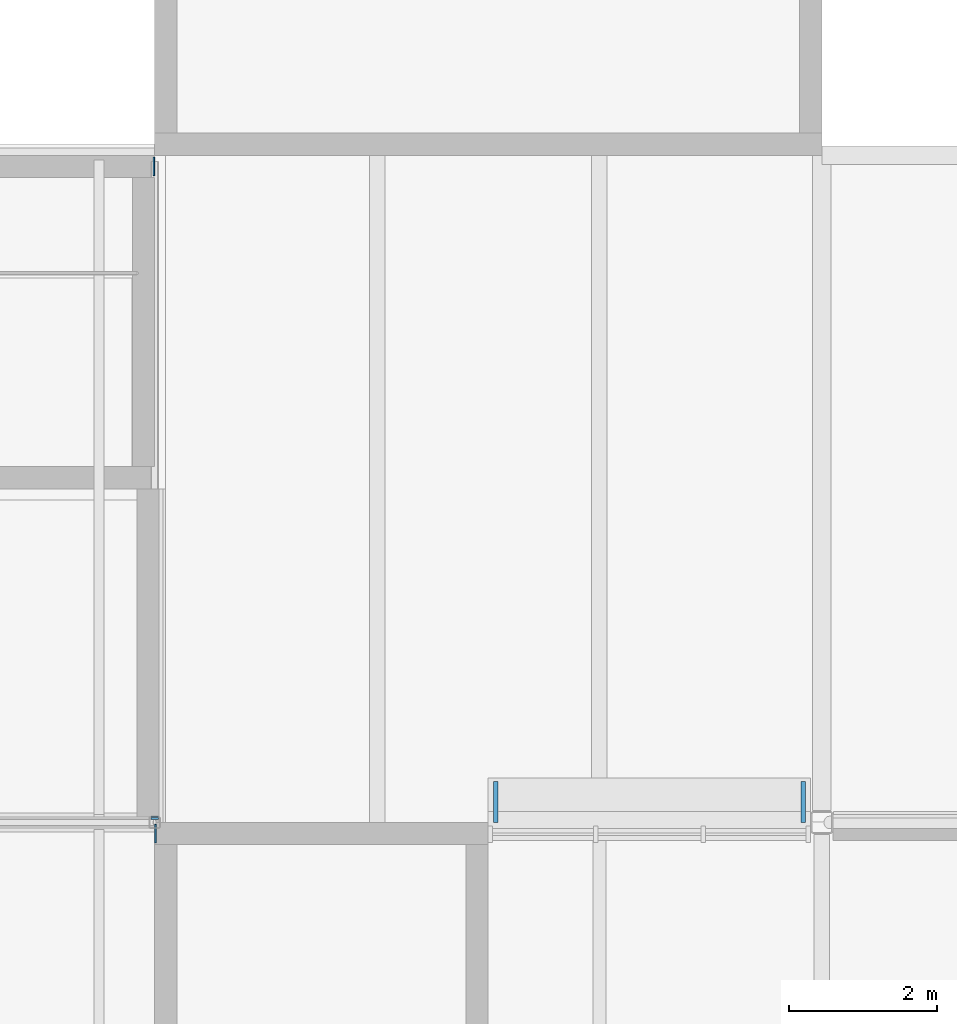
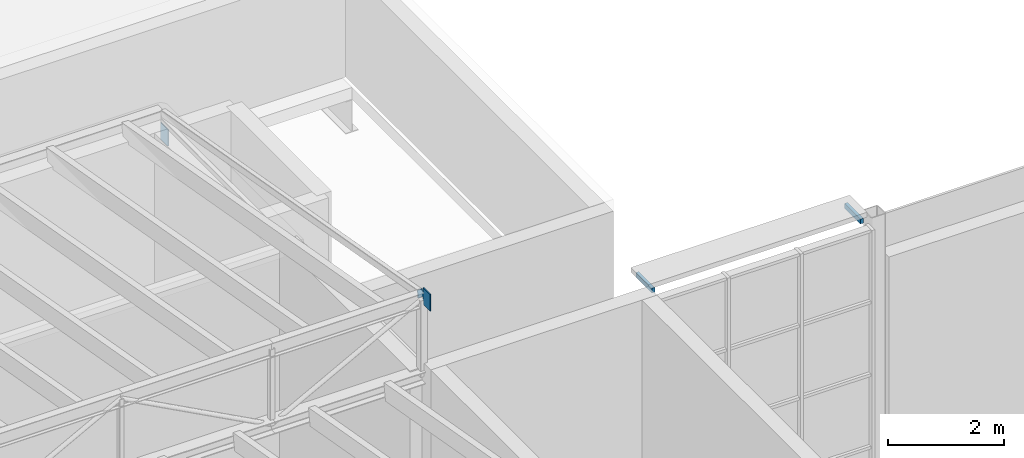
# One storey, part 84 of 90: 5 discrete accessories.
"""IFC4 building model written with IfcOpenShell, lengths in metres."""

from ifc_helpers import new_model, si_unit, direction, frame, origin, origin_2d, place, context, subcontext, project, spatial, rectangle, extrude, element, save


model = new_model("IFC4")

# Units and contexts
model_context = context("Model", 3, precision=1e-05, world=origin(), true_north=direction((0.0, 1.0)))
body_context = subcontext(model_context, "Body", "Model", "MODEL_VIEW")
ifc_project = project(units=[si_unit("LENGTHUNIT", "METRE"), si_unit("AREAUNIT", "SQUARE_METRE"), si_unit("VOLUMEUNIT", "CUBIC_METRE"), si_unit("PLANEANGLEUNIT", "RADIAN"), si_unit("MASSUNIT", "GRAM", prefix="KILO")], contexts=[model_context])

# Site, building, storey
site_placement = place(None, origin())
site = spatial("IfcSite", under=ifc_project, at=site_placement, CompositionType="ELEMENT")
building_placement = place(site_placement, origin())
building = spatial("IfcBuilding", under=site, at=building_placement, Name="Halyard Row Museum", CompositionType="ELEMENT")
storey_placement = place(building_placement, frame((0.0, 0.0, 13.39990234375)))
storey = spatial("IfcBuildingStorey", under=building, at=storey_placement, Name="L03", CompositionType="ELEMENT", Elevation=13.39990234375)

# Discrete accessories
discrete_accessory_placement = place(storey_placement, frame((72.0, 36.074951171875, 9.190673828125), z_axis=(0.0, -0.985030467156, 0.172380331752), x_axis=(1.0, 0.0, 0.0)))
element("IfcDiscreteAccessory", 1, at=discrete_accessory_placement, inside=storey, Name="V1-GE3 raking rafter end plate", PredefinedType="BRACKET", context=body_context, shape_type="SweptSolid", body=[
    extrude(rectangle(XDim=0.10009765625, YDim=0.14990234375, at=origin_2d()), origin(), (0.0, 0.0, 1.0), 0.019775390625),
])
for number, where, z_axis, x_axis, name in (
    (2, (80.75, 36.27490234375, 7.635009765625), (0.0, 0.0, 1.0), (1.0, 0.0, 0.0), "Louvre bracket"),
    (3, (76.60009765625, 36.27490234375, 7.635009765625), (0.0, 0.0, 1.0), (1.0, 0.0, 0.0), "Louvre bracket"),
):
    element("IfcDiscreteAccessory", number, at=place(storey_placement, frame(where, z_axis=z_axis, x_axis=x_axis)), inside=storey, Name=name, PredefinedType="BRACKET", context=body_context, shape_type="SweptSolid", body=[
        extrude(rectangle(XDim=0.06005859375, YDim=0.550048828125, at=origin_2d()), origin(), (0.0, 0.0, 1.0), 0.10009765625),
    ])
for number, where, z_axis, x_axis, name in (
    (4, (72.0, 35.85009765625, 9.190673828125), (1.0, 0.0, 0.0), (0.0, 1.0, 0.0), "V1-GE3 raking rafter cast-in plate"),
    (5, (72.0, 44.85009765625, 7.213134765625), (-1.0, 0.0, 0.0), (0.0, -1.0, 0.0), "V1-GE3 raking rafter cast-in plate"),
):
    element("IfcDiscreteAccessory", number, at=place(storey_placement, frame(where, z_axis=z_axis, x_axis=x_axis)), inside=storey, Name=name, PredefinedType="ANCHORPLATE", context=body_context, shape_type="SweptSolid", body=[
        extrude(rectangle(XDim=0.25, YDim=0.35009765625, at=origin_2d()), origin(), (0.0, 0.0, 1.0), 0.02001953125),
    ])

save(model, "model.ifc")
